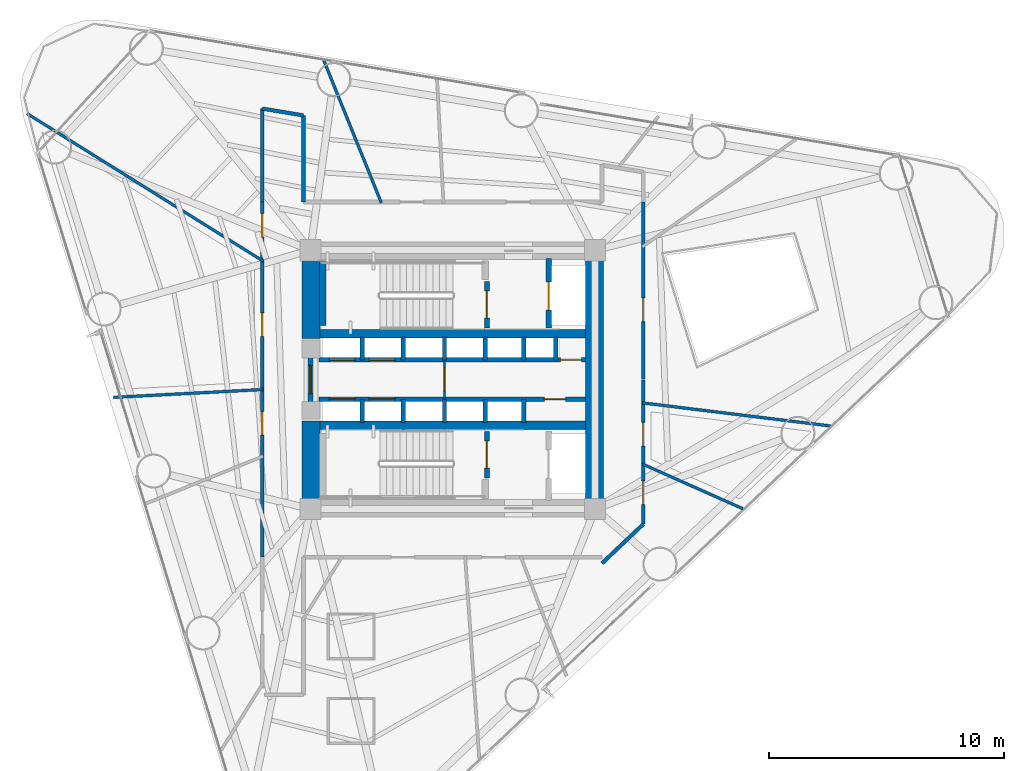
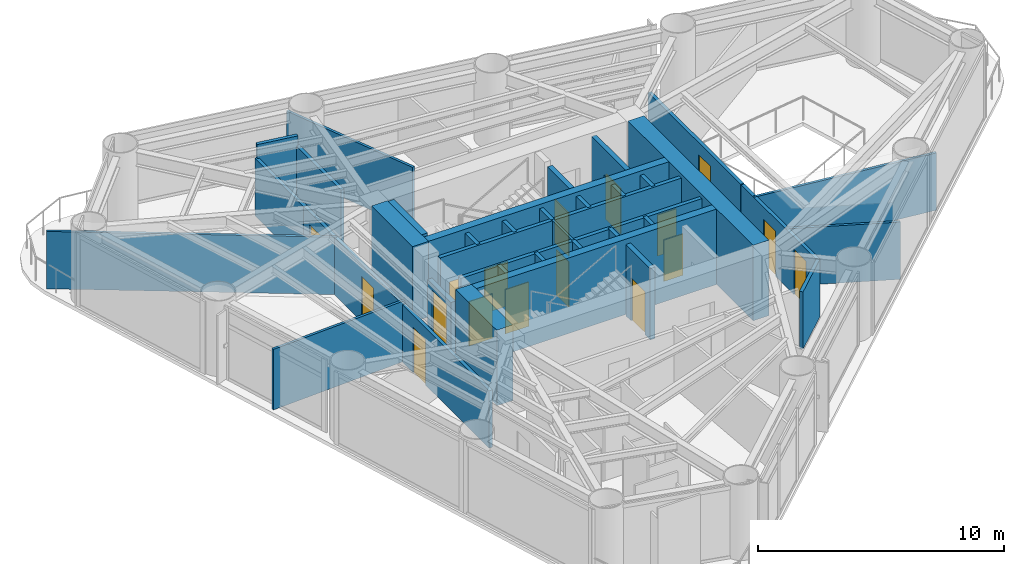
# One storey, part 6 of 10: 36 walls, 17 doors, 17 openings.
"""IFC4 building model written with IfcOpenShell, lengths in metres."""

from ifc_helpers import new_model, si_unit, direction, frame, frame_2d, origin, place, context, subcontext, project, spatial, rectangle, extrude, material, layer, layer_set, type_object, element, fill, save


model = new_model("IFC4")

# Units and contexts
model_context = context("Model", 3, precision=1e-05, world=origin(), true_north=direction((0.0, 1.0)))
body_context = subcontext(model_context, "Body", "Model", "MODEL_VIEW")
ifc_project = project(units=[si_unit("LENGTHUNIT", "METRE"), si_unit("AREAUNIT", "SQUARE_METRE"), si_unit("VOLUMEUNIT", "CUBIC_METRE"), si_unit("PLANEANGLEUNIT", "RADIAN"), si_unit("MASSUNIT", "GRAM", prefix="KILO")], contexts=[model_context])

# Site, building, storey
site_placement = place(None, origin())
site = spatial("IfcSite", under=ifc_project, at=site_placement, CompositionType="ELEMENT")
building_placement = place(site_placement, origin())
building = spatial("IfcBuilding", under=site, at=building_placement, Name="Yunling Apex Tower", CompositionType="ELEMENT")
storey_placement = place(building_placement, frame((0.0, 0.0, 101.14990234375)))
storey = spatial("IfcBuildingStorey", under=building, at=storey_placement, Name="L25", CompositionType="ELEMENT", Elevation=101.14990234375)

# Walls
ifc_material_1 = material(Name="Concrete C60", Category="concrete")
ifc_layer_1 = layer(ifc_material_1, 0.75)
ifc_layer_set_1 = layer_set([ifc_layer_1], Name="Concrete C60")
wall_type_1 = type_object("IfcWallType", Name="WL-COR-1", PredefinedType="SHEAR", material=ifc_layer_set_1)
wall_1_placement = place(storey_placement, frame((6.02490234375, -5.10009765625, 0.0), z_axis=(0.0, 0.0, 1.0), x_axis=(0.0, 1.0, 0.0)))
element("IfcWall", 1, at=wall_1_placement, inside=storey, type_object=wall_type_1, Name="L25 East Core Shear Wall", PredefinedType="SHEAR", context=body_context, shape_type="SweptSolid", body=[
    extrude(rectangle(XDim=10.2001953125, YDim=0.75, at=frame_2d((5.10009765625, 0.0))), origin(), (0.0, 0.0, 1.0), 3.75),
])
for number, where, z_axis, x_axis, name in (
    (2, (-6.02490234375, -5.10009765625, 0.0), (0.0, 0.0, 1.0), (0.0, 1.0, 0.0), "L25 West-South Core Shear Wall"),
    (3, (-6.02490234375, 1.75, 0.0), (0.0, 0.0, 1.0), (0.0, 1.0, 0.0), "L25 West-North Core Shear Wall"),
):
    element("IfcWall", number, at=place(storey_placement, frame(where, z_axis=z_axis, x_axis=x_axis)), inside=storey, type_object=wall_type_1, Name=name, PredefinedType="SHEAR", context=body_context, shape_type="SweptSolid", body=[
        extrude(rectangle(XDim=3.35009765625, YDim=0.75, at=frame_2d((1.675048828125, 0.0))), origin(), (0.0, 0.0, 1.0), 3.75),
    ])
ifc_material_2 = material(Name="Concrete C40", Category="concrete")
ifc_layer_2 = layer(ifc_material_2, 0.360107421875)
ifc_layer_set_2 = layer_set([ifc_layer_2], Name="Concrete C40")
wall_type_2 = type_object("IfcWallType", Name="WL-COR-4", PredefinedType="SHEAR", material=ifc_layer_set_2)
for number, where, z_axis, x_axis, name in (
    (4, (-5.64990234375, 1.93994140625, 0.0), (0.0, 0.0, 1.0), (1.0, 0.0, 0.0), "L25 North Internal Core Shear Wall"),
    (5, (-5.64990234375, -1.93994140625, 0.0), (0.0, 0.0, 1.0), (1.0, 0.0, 0.0), "L25 South Internal Core Shear Wall"),
):
    element("IfcWall", number, at=place(storey_placement, frame(where, z_axis=z_axis, x_axis=x_axis)), inside=storey, type_object=wall_type_2, Name=name, PredefinedType="SHEAR", context=body_context, shape_type="SweptSolid", body=[
        extrude(rectangle(XDim=11.2998046875, YDim=0.360107421875, at=frame_2d((5.64990234375, 0.0))), origin(), (0.0, 0.0, 1.0), 3.75),
    ])
ifc_layer_3 = layer(ifc_material_2, 0.280029296875)
ifc_layer_set_3 = layer_set([ifc_layer_3], Name="Concrete C40")
wall_type_3 = type_object("IfcWallType", Name="WL-COR-8", PredefinedType="SHEAR", material=ifc_layer_set_3)
wall_2_placement = place(storey_placement, frame((-5.52001953125, 2.300048828125, 0.0), z_axis=(0.0, 0.0, 1.0), x_axis=(0.0, 1.0, 0.0)))
element("IfcWall", 6, at=wall_2_placement, inside=storey, type_object=wall_type_3, Name="L25 ST-1 West Landing Bearing Wall", PredefinedType="SHEAR", context=body_context, shape_type="SweptSolid", body=[
    extrude(rectangle(XDim=2.75, YDim=0.280029296875, at=frame_2d((1.375, 0.0))), origin(), (0.0, 0.0, 1.0), 3.75),
])

# Wall, openings, doors
ifc_material_3 = material(Name="Gypsum board acoustic partition")
ifc_layer_4 = layer(ifc_material_3, 0.159912109375)
ifc_layer_set_4 = layer_set([ifc_layer_4], Name="Gypsum board acoustic partition")
wall_type_4 = type_object("IfcWallType", Name="WL-PRT-1", PredefinedType="PARTITIONING", material=ifc_layer_set_4)
wall_3_placement = place(storey_placement, frame((-8.10009765625, -7.550048828125, 0.0), z_axis=(0.0, 0.0, 1.0), x_axis=(0.0, 1.0, 0.0)))
wall_3 = element("IfcWall", 7, at=wall_3_placement, inside=storey, type_object=wall_type_4, Name="WL-CORR-L25-03", PredefinedType="PARTITIONING", context=body_context, shape_type="SweptSolid", body=[
    extrude(rectangle(XDim=15.10009765625, YDim=0.159912109375, at=frame_2d((7.550048828125, 0.0))), origin(), (0.0, 0.0, 1.0), 2.85009765625),
])
opening_1_placement = place(wall_3_placement, frame((5.185302734375, 0.0, 0.0)))
opening_1 = element("IfcOpeningElement", 8, at=opening_1_placement, cuts=wall_3, Name="Opening DR-OFF-1", PredefinedType="OPENING", context=body_context, shape_type="SweptSolid", body=[
    extrude(rectangle(XDim=1.0, YDim=2.25, at=frame_2d((0.5, 1.125))), frame((0.0, 0.08984375, 0.0), z_axis=(0.0, -1.0, 0.0), x_axis=(1.0, 0.0, 0.0)), (0.0, 0.0, 1.0), 0.179931640625),
])
opening_2_placement = place(wall_3_placement, frame((9.390380859375, 0.0, 0.0)))
opening_2 = element("IfcOpeningElement", 9, at=opening_2_placement, cuts=wall_3, Name="Opening DR-OFF-1", PredefinedType="OPENING", context=body_context, shape_type="SweptSolid", body=[
    extrude(rectangle(XDim=1.0, YDim=2.25, at=frame_2d((0.5, 1.125))), frame((0.0, 0.08984375, 0.0), z_axis=(0.0, -1.0, 0.0), x_axis=(1.0, 0.0, 0.0)), (0.0, 0.0, 1.0), 0.179931640625),
])
opening_3_placement = place(wall_3_placement, frame((13.607421875, 0.0, 0.0)))
opening_3 = element("IfcOpeningElement", 10, at=opening_3_placement, cuts=wall_3, Name="Opening DR-OFF-1", PredefinedType="OPENING", context=body_context, shape_type="SweptSolid", body=[
    extrude(rectangle(XDim=1.0, YDim=2.25, at=frame_2d((0.5, 1.125))), frame((0.0, 0.08984375, 0.0), z_axis=(0.0, -1.0, 0.0), x_axis=(1.0, 0.0, 0.0)), (0.0, 0.0, 1.0), 0.179931640625),
])
ifc_material_4 = material(Name="Bronze anodised aluminium", Category="aluminium")
door_type_1 = type_object("IfcDoorType", Name="DR-OFF-1", OperationType="NOTDEFINED", PredefinedType="DOOR", material=ifc_material_4)
door_1_placement = place(opening_1_placement, origin())
door_1 = element("IfcDoor", 11, at=door_1_placement, inside=storey, type_object=door_type_1, Name="L25 Business Reading Lounge Door", OperationType="SINGLE_SWING_RIGHT", OverallHeight=2.25, OverallWidth=1.0, PredefinedType="DOOR", context=body_context, shape_type="SweptSolid", body=[
    extrude(rectangle(XDim=1.0, YDim=2.25, at=frame_2d((0.5, 1.125))), frame((0.0, 0.02490234375, 0.0), z_axis=(0.0, -1.0, 0.0), x_axis=(1.0, 0.0, 0.0)), (0.0, 0.0, 1.0), 0.050048828125),
])
fill(opening_1, door_1)
door_2_placement = place(opening_2_placement, origin())
door_2 = element("IfcDoor", 12, at=door_2_placement, inside=storey, type_object=door_type_1, Name="L25 Document Archive Store Door", OperationType="SINGLE_SWING_LEFT", OverallHeight=2.25, OverallWidth=1.0, PredefinedType="DOOR", context=body_context, shape_type="SweptSolid", body=[
    extrude(rectangle(XDim=1.0, YDim=2.25, at=frame_2d((0.5, 1.125))), frame((0.0, 0.02490234375, 0.0), z_axis=(0.0, -1.0, 0.0), x_axis=(1.0, 0.0, 0.0)), (0.0, 0.0, 1.0), 0.050048828125),
])
fill(opening_2, door_2)
door_3_placement = place(opening_3_placement, origin())
door_3 = element("IfcDoor", 13, at=door_3_placement, inside=storey, type_object=door_type_1, Name="L25 Client Reception Foyer Door", OperationType="SINGLE_SWING_RIGHT", OverallHeight=2.25, OverallWidth=1.0, PredefinedType="DOOR", context=body_context, shape_type="SweptSolid", body=[
    extrude(rectangle(XDim=1.0, YDim=2.25, at=frame_2d((0.5, 1.125))), frame((0.0, 0.02490234375, 0.0), z_axis=(0.0, -1.0, 0.0), x_axis=(1.0, 0.0, 0.0)), (0.0, 0.0, 1.0), 0.050048828125),
])
fill(opening_3, door_3)

# Walls
wall_4_placement = place(storey_placement, frame((-8.10009765625, 7.550048828125, 0.0), z_axis=(0.0, 0.0, 1.0), x_axis=(0.0, 1.0, 0.0)))
element("IfcWall", 14, at=wall_4_placement, inside=storey, type_object=wall_type_4, Name="WL-CORR-L25-04", PredefinedType="PARTITIONING", context=body_context, shape_type="SweptSolid", body=[
    extrude(rectangle(XDim=3.970703125, YDim=0.159912109375, at=frame_2d((1.9853515625, 0.0))), origin(), (0.0, 0.0, 1.0), 2.85009765625),
])
wall_5_placement = place(storey_placement, frame((-8.10009765625, 11.520751953125, 0.0), z_axis=(0.0, 0.0, 1.0), x_axis=(0.986408796856, -0.164309724253, 0.0)))
element("IfcWall", 15, at=wall_5_placement, inside=storey, type_object=wall_type_4, Name="WL-CORR-L25-05", PredefinedType="PARTITIONING", context=body_context, shape_type="SweptSolid", body=[
    extrude(rectangle(XDim=1.774169921875, YDim=0.159912109375, at=frame_2d((0.88720703125, 0.0))), origin(), (0.0, 0.0, 1.0), 3.545166015625),
])
wall_6_placement = place(storey_placement, frame((-6.35009765625, 11.229248046875, 0.0), z_axis=(0.0, 0.0, 1.0), x_axis=(0.0, -1.0, 0.0)))
element("IfcWall", 16, at=wall_6_placement, inside=storey, type_object=wall_type_4, Name="WL-CORR-L25-06", PredefinedType="PARTITIONING", context=body_context, shape_type="SweptSolid", body=[
    extrude(rectangle(XDim=3.67919921875, YDim=0.159912109375, at=frame_2d((1.839599609375, 0.0))), origin(), (0.0, 0.0, 1.0), 3.050048828125),
])

# Wall, opening, door
wall_7_placement = place(storey_placement, frame((8.10009765625, 7.550048828125, 0.0), z_axis=(0.0, 0.0, 1.0), x_axis=(0.0, -1.0, 0.0)))
wall_7 = element("IfcWall", 17, at=wall_7_placement, inside=storey, type_object=wall_type_4, Name="WL-CORR-L25-11", PredefinedType="PARTITIONING", context=body_context, shape_type="SweptSolid", body=[
    extrude(rectangle(XDim=7.530029296875, YDim=0.159912109375, at=frame_2d((3.76513671875, 0.0))), origin(), (0.0, 0.0, 1.0), 2.85009765625),
])
opening_4_placement = place(wall_7_placement, frame((4.08203125, 0.0, 0.0)))
opening_4 = element("IfcOpeningElement", 18, at=opening_4_placement, cuts=wall_7, Name="Opening DR-OFF-1", PredefinedType="OPENING", context=body_context, shape_type="SweptSolid", body=[
    extrude(rectangle(XDim=1.0, YDim=2.25, at=frame_2d((0.5, 1.125))), frame((0.0, 0.08984375, 0.0), z_axis=(0.0, -1.0, 0.0), x_axis=(1.0, 0.0, 0.0)), (0.0, 0.0, 1.0), 0.179931640625),
])
door_4_placement = place(opening_4_placement, origin())
door_4 = element("IfcDoor", 19, at=door_4_placement, inside=storey, type_object=door_type_1, Name="L25 Executive Office Door", OperationType="SINGLE_SWING_LEFT", OverallHeight=2.25, OverallWidth=1.0, PredefinedType="DOOR", context=body_context, shape_type="SweptSolid", body=[
    extrude(rectangle(XDim=1.0, YDim=2.25, at=frame_2d((0.5, 1.125))), frame((0.0, 0.02490234375, 0.0), z_axis=(0.0, -1.0, 0.0), x_axis=(1.0, 0.0, 0.0)), (0.0, 0.0, 1.0), 0.050048828125),
])
fill(opening_4, door_4)

# Wall, openings, doors
wall_8_placement = place(storey_placement, frame((8.10009765625, -0.02001953125, 0.0), z_axis=(0.0, 0.0, 1.0), x_axis=(0.0, -1.0, 0.0)))
wall_8 = element("IfcWall", 20, at=wall_8_placement, inside=storey, type_object=wall_type_4, Name="WL-CORR-L25-12", PredefinedType="PARTITIONING", context=body_context, shape_type="SweptSolid", body=[
    extrude(rectangle(XDim=6.126220703125, YDim=0.159912109375, at=frame_2d((3.06298828125, 0.0))), origin(), (0.0, 0.0, 1.0), 2.85009765625),
])
opening_5_placement = place(wall_8_placement, frame((1.801025390625, 0.0, 0.0)))
opening_5 = element("IfcOpeningElement", 21, at=opening_5_placement, cuts=wall_8, Name="Opening DR-OFF-1", PredefinedType="OPENING", context=body_context, shape_type="SweptSolid", body=[
    extrude(rectangle(XDim=1.0, YDim=2.25, at=frame_2d((0.5, 1.125))), frame((0.0, 0.08984375, 0.0), z_axis=(0.0, -1.0, 0.0), x_axis=(1.0, 0.0, 0.0)), (0.0, 0.0, 1.0), 0.179931640625),
])
opening_6_placement = place(wall_8_placement, frame((4.28369140625, 0.0, 0.0)))
opening_6 = element("IfcOpeningElement", 22, at=opening_6_placement, cuts=wall_8, Name="Opening DR-OFF-1", PredefinedType="OPENING", context=body_context, shape_type="SweptSolid", body=[
    extrude(rectangle(XDim=1.0, YDim=2.25, at=frame_2d((0.5, 1.125))), frame((0.0, 0.08984375, 0.0), z_axis=(0.0, -1.0, 0.0), x_axis=(1.0, 0.0, 0.0)), (0.0, 0.0, 1.0), 0.179931640625),
])
door_5_placement = place(opening_5_placement, origin())
door_5 = element("IfcDoor", 23, at=door_5_placement, inside=storey, type_object=door_type_1, Name="L25 Document Archive Store Door", OperationType="SINGLE_SWING_RIGHT", OverallHeight=2.25, OverallWidth=1.0, PredefinedType="DOOR", context=body_context, shape_type="SweptSolid", body=[
    extrude(rectangle(XDim=1.0, YDim=2.25, at=frame_2d((0.5, 1.125))), frame((0.0, 0.02490234375, 0.0), z_axis=(0.0, -1.0, 0.0), x_axis=(1.0, 0.0, 0.0)), (0.0, 0.0, 1.0), 0.050048828125),
])
fill(opening_5, door_5)
door_6_placement = place(opening_6_placement, origin())
door_6 = element("IfcDoor", 24, at=door_6_placement, inside=storey, type_object=door_type_1, Name="L25 Client Reception Foyer Door", OperationType="SINGLE_SWING_LEFT", OverallHeight=2.25, OverallWidth=1.0, PredefinedType="DOOR", context=body_context, shape_type="SweptSolid", body=[
    extrude(rectangle(XDim=1.0, YDim=2.25, at=frame_2d((0.5, 1.125))), frame((0.0, 0.02490234375, 0.0), z_axis=(0.0, -1.0, 0.0), x_axis=(1.0, 0.0, 0.0)), (0.0, 0.0, 1.0), 0.050048828125),
])
fill(opening_6, door_6)

# Walls
wall_9_placement = place(storey_placement, frame((8.10009765625, -6.146240234375, 0.0), z_axis=(0.0, 0.0, 1.0), x_axis=(-0.725888815428, -0.687812058368, 0.0)))
element("IfcWall", 25, at=wall_9_placement, inside=storey, type_object=wall_type_4, Name="WL-CORR-L25-13", PredefinedType="PARTITIONING", context=body_context, shape_type="SweptSolid", body=[
    extrude(rectangle(XDim=2.410888671875, YDim=0.159912109375, at=frame_2d((1.20556640625, 0.0))), origin(), (0.0, 0.0, 1.0), 2.85009765625),
])
ifc_layer_5 = layer(ifc_material_3, 0.1201171875)
ifc_layer_set_5 = layer_set([ifc_layer_5], Name="Gypsum board acoustic partition")
wall_type_5 = type_object("IfcWallType", Name="WL-PRT-3", PredefinedType="PARTITIONING", material=ifc_layer_set_5)
wall_10_placement = place(storey_placement, frame((-8.06005859375, -0.42236328125, 0.0), z_axis=(0.0, 0.0, 1.0), x_axis=(-0.998629334036, -0.052339786045, 0.0)))
element("IfcWall", 26, at=wall_10_placement, inside=storey, type_object=wall_type_5, Name="WL-RAD-L25-01", PredefinedType="PARTITIONING", context=body_context, shape_type="SweptSolid", body=[
    extrude(rectangle(XDim=6.37646484375, YDim=0.1201171875, at=frame_2d((3.188232421875, 0.0))), origin(), (0.0, 0.0, 1.0), 3.010009765625),
])
wall_11_placement = place(storey_placement, frame((8.06005859375, -3.58837890625, 0.0), z_axis=(0.0, 0.0, 1.0), x_axis=(0.913536081089, -0.406757702506, 0.0)))
element("IfcWall", 27, at=wall_11_placement, inside=storey, type_object=wall_type_5, Name="WL-RAD-L25-07", PredefinedType="PARTITIONING", context=body_context, shape_type="SweptSolid", body=[
    extrude(rectangle(XDim=4.681640625, YDim=0.1201171875, at=frame_2d((2.3408203125, 0.0))), origin(), (0.0, 0.0, 1.0), 2.85009765625),
])
wall_12_placement = place(storey_placement, frame((8.06005859375, -0.989501953125, 0.0), z_axis=(0.0, 0.0, 1.0), x_axis=(0.99254191086, -0.121903876831, 0.0)))
element("IfcWall", 28, at=wall_12_placement, inside=storey, type_object=wall_type_5, Name="WL-RAD-L25-08", PredefinedType="PARTITIONING", context=body_context, shape_type="SweptSolid", body=[
    extrude(rectangle(XDim=8.052978515625, YDim=0.1201171875, at=frame_2d((4.0263671875, 0.0))), origin(), (0.0, 0.0, 1.0), 2.85009765625),
])
wall_13_placement = place(storey_placement, frame((-3.0341796875, 7.510009765625, 0.0), z_axis=(0.0, 0.0, 1.0), x_axis=(-0.37460229318, 0.927185591963, 0.0)))
element("IfcWall", 29, at=wall_13_placement, inside=storey, type_object=wall_type_5, Name="WL-RAD-L25-12", PredefinedType="PARTITIONING", context=body_context, shape_type="SweptSolid", body=[
    extrude(rectangle(XDim=6.5224609375, YDim=0.1201171875, at=frame_2d((3.26123046875, 0.0))), origin(), (0.0, 0.0, 1.0), 3.050048828125),
])
wall_14_placement = place(storey_placement, frame((-8.06005859375, 5.036376953125, 0.0), z_axis=(0.0, 0.0, 1.0), x_axis=(-0.848040015969, 0.529932195016, 0.0)))
element("IfcWall", 30, at=wall_14_placement, inside=storey, type_object=wall_type_5, Name="WL-RAD-L25-13", PredefinedType="PARTITIONING", context=body_context, shape_type="SweptSolid", body=[
    extrude(rectangle(XDim=11.8369140625, YDim=0.1201171875, at=frame_2d((5.91845703125, 0.0))), origin(), (0.0, 0.0, 1.0), 2.85009765625),
])

# Wall, opening, door
ifc_layer_6 = layer(ifc_material_3, 0.10009765625)
ifc_layer_set_6 = layer_set([ifc_layer_6], Name="Gypsum board acoustic partition")
wall_type_6 = type_object("IfcWallType", Name="WL-PRT-4", PredefinedType="PARTITIONING", material=ifc_layer_set_6)
wall_15_placement = place(storey_placement, frame((-0.35009765625, -0.840087890625, 0.0), z_axis=(0.0, 0.0, 1.0), x_axis=(0.0, 1.0, 0.0)))
wall_15 = element("IfcWall", 31, at=wall_15_placement, inside=storey, type_object=wall_type_6, Name="WL-LOB-MID-L25", PredefinedType="PARTITIONING", context=body_context, shape_type="SweptSolid", body=[
    extrude(rectangle(XDim=1.68017578125, YDim=0.10009765625, at=frame_2d((0.840087890625, 0.0))), origin(), (0.0, 0.0, 1.0), 3.545166015625),
])
opening_7_placement = place(wall_15_placement, frame((0.340087890625, 0.0, 0.0)))
opening_7 = element("IfcOpeningElement", 32, at=opening_7_placement, cuts=wall_15, Name="Opening DR-OFF-1", PredefinedType="OPENING", context=body_context, shape_type="SweptSolid", body=[
    extrude(rectangle(XDim=1.0, YDim=2.25, at=frame_2d((0.5, 1.125))), frame((0.0, 0.06005859375, 0.0), z_axis=(0.0, -1.0, 0.0), x_axis=(1.0, 0.0, 0.0)), (0.0, 0.0, 1.0), 0.1201171875),
])
door_7_placement = place(opening_7_placement, origin())
door_7 = element("IfcDoor", 33, at=door_7_placement, inside=storey, type_object=door_type_1, Name="L25 Core Lobby Link Door", OperationType="SINGLE_SWING_LEFT", OverallHeight=2.25, OverallWidth=1.0, PredefinedType="DOOR", context=body_context, shape_type="SweptSolid", body=[
    extrude(rectangle(XDim=1.0, YDim=2.25, at=frame_2d((0.5, 1.125))), frame((0.0, 0.02490234375, 0.0), z_axis=(0.0, -1.0, 0.0), x_axis=(1.0, 0.0, 0.0)), (0.0, 0.0, 1.0), 0.050048828125),
])
fill(opening_7, door_7)

ifc_material_5 = material(Name="Autoclaved aerated concrete masonry", Category="masonry")
ifc_layer_7 = layer(ifc_material_5, 0.219970703125)
ifc_layer_set_7 = layer_set([ifc_layer_7], Name="Autoclaved aerated concrete masonry")
wall_type_7 = type_object("IfcWallType", Name="WL-SHF-1", PredefinedType="PLUMBINGWALL", material=ifc_layer_set_7)
wall_16_placement = place(storey_placement, frame((-6.050048828125, -0.949951171875, 0.0), z_axis=(0.0, 0.0, 1.0), x_axis=(0.0, 1.0, 0.0)))
wall_16 = element("IfcWall", 34, at=wall_16_placement, inside=storey, type_object=wall_type_7, Name="WL-COR-WPORT-L25", PredefinedType="PLUMBINGWALL", context=body_context, shape_type="SweptSolid", body=[
    extrude(rectangle(XDim=1.89990234375, YDim=0.219970703125, at=frame_2d((0.949951171875, 0.0))), origin(), (0.0, 0.0, 1.0), 2.525146484375),
])
opening_8_placement = place(wall_16_placement, frame((0.35009765625, 0.0, 0.0)))
opening_8 = element("IfcOpeningElement", 35, at=opening_8_placement, cuts=wall_16, Name="Opening DR-FFL-1", PredefinedType="OPENING", context=body_context, shape_type="SweptSolid", body=[
    extrude(rectangle(XDim=1.199951171875, YDim=2.199951171875, at=frame_2d((0.60009765625, 1.10009765625))), frame((0.0, 0.1201171875, 0.0), z_axis=(0.0, -1.0, 0.0), x_axis=(1.0, 0.0, 0.0)), (0.0, 0.0, 1.0), 0.239990234375),
])
ifc_material_6 = material(Name="Steel Q355B", Category="steel")
door_type_2 = type_object("IfcDoorType", Name="DR-FFL-1", OperationType="NOTDEFINED", PredefinedType="DOOR", material=ifc_material_6)
door_8_placement = place(opening_8_placement, origin())
door_8 = element("IfcDoor", 36, at=door_8_placement, inside=storey, type_object=door_type_2, Name="L25 Passenger Lift Lobby Entrance Door", OperationType="SINGLE_SWING_LEFT", OverallHeight=2.199951171875, OverallWidth=1.199951171875, PredefinedType="DOOR", context=body_context, shape_type="SweptSolid", body=[
    extrude(rectangle(XDim=1.199951171875, YDim=2.199951171875, at=frame_2d((0.60009765625, 1.10009765625))), frame((0.0, 0.02490234375, 0.0), z_axis=(0.0, -1.0, 0.0), x_axis=(1.0, 0.0, 0.0)), (0.0, 0.0, 1.0), 0.050048828125),
])
fill(opening_8, door_8)

wall_17_placement = place(storey_placement, frame((1.449951171875, 2.199951171875, 0.0), z_axis=(0.0, 0.0, 1.0), x_axis=(0.0, 1.0, 0.0)))
wall_17 = element("IfcWall", 37, at=wall_17_placement, inside=storey, type_object=wall_type_7, Name="WL-ST1-E-L25", PredefinedType="PLUMBINGWALL", context=body_context, shape_type="SweptSolid", body=[
    extrude(rectangle(XDim=1.97998046875, YDim=0.219970703125, at=frame_2d((0.989990234375, 0.0))), origin(), (0.0, 0.0, 1.0), 3.545166015625),
])
opening_9_placement = place(wall_17_placement, frame((0.419921875, 0.0, 0.0)))
opening_9 = element("IfcOpeningElement", 38, at=opening_9_placement, cuts=wall_17, Name="Opening DR-ST-1", PredefinedType="OPENING", context=body_context, shape_type="SweptSolid", body=[
    extrude(rectangle(XDim=1.14990234375, YDim=2.14990234375, at=frame_2d((0.574951171875, 1.074951171875))), frame((0.0, 0.1201171875, 0.0), z_axis=(0.0, -1.0, 0.0), x_axis=(1.0, 0.0, 0.0)), (0.0, 0.0, 1.0), 0.239990234375),
])
door_type_3 = type_object("IfcDoorType", Name="DR-ST-1", OperationType="NOTDEFINED", PredefinedType="DOOR", material=ifc_material_6)
door_9_placement = place(opening_9_placement, origin())
door_9 = element("IfcDoor", 39, at=door_9_placement, inside=storey, type_object=door_type_3, Name="L25 Stair ST-1 Fire Door", OperationType="SINGLE_SWING_LEFT", OverallHeight=2.14990234375, OverallWidth=1.14990234375, PredefinedType="DOOR", context=body_context, shape_type="SweptSolid", body=[
    extrude(rectangle(XDim=1.14990234375, YDim=2.14990234375, at=frame_2d((0.574951171875, 1.074951171875))), frame((0.0, 0.02490234375, 0.0), z_axis=(0.0, -1.0, 0.0), x_axis=(1.0, 0.0, 0.0)), (0.0, 0.0, 1.0), 0.050048828125),
])
fill(opening_9, door_9)

wall_18_placement = place(storey_placement, frame((4.080078125, 2.199951171875, 0.0), z_axis=(0.0, 0.0, 1.0), x_axis=(0.0, 1.0, 0.0)))
wall_18 = element("IfcWall", 40, at=wall_18_placement, inside=storey, type_object=wall_type_7, Name="WL-FFL1-W-L25", PredefinedType="PLUMBINGWALL", context=body_context, shape_type="SweptSolid", body=[
    extrude(rectangle(XDim=2.949951171875, YDim=0.219970703125, at=frame_2d((1.47509765625, 0.0))), origin(), (0.0, 0.0, 1.0), 3.545166015625),
])
opening_10_placement = place(wall_18_placement, frame((0.75, 0.0, 0.0)))
opening_10 = element("IfcOpeningElement", 41, at=opening_10_placement, cuts=wall_18, Name="Opening LD-FFL-1", PredefinedType="OPENING", context=body_context, shape_type="SweptSolid", body=[
    extrude(rectangle(XDim=1.199951171875, YDim=2.25, at=frame_2d((0.60009765625, 1.125))), frame((0.0, 0.1201171875, 0.0), z_axis=(0.0, -1.0, 0.0), x_axis=(1.0, 0.0, 0.0)), (0.0, 0.0, 1.0), 0.239990234375),
])
door_type_4 = type_object("IfcDoorType", Name="LD-FFL-1", OperationType="DOUBLE_DOOR_SLIDING", PredefinedType="DOOR", material=ifc_material_6)
door_10_placement = place(opening_10_placement, origin())
door_10 = element("IfcDoor", 42, at=door_10_placement, inside=storey, type_object=door_type_4, Name="L25 Lift FFL-1 Landing Door", OperationType="DOUBLE_DOOR_SLIDING", OverallHeight=2.25, OverallWidth=1.199951171875, PredefinedType="DOOR", context=body_context, shape_type="SweptSolid", body=[
    extrude(rectangle(XDim=1.199951171875, YDim=2.25, at=frame_2d((0.60009765625, 1.125))), frame((0.0, 0.02490234375, 0.0), z_axis=(0.0, -1.0, 0.0), x_axis=(1.0, 0.0, 0.0)), (0.0, 0.0, 1.0), 0.050048828125),
])
fill(opening_10, door_10)

wall_19_placement = place(storey_placement, frame((1.449951171875, -4.179931640625, 0.0), z_axis=(0.0, 0.0, 1.0), x_axis=(0.0, 1.0, 0.0)))
wall_19 = element("IfcWall", 43, at=wall_19_placement, inside=storey, type_object=wall_type_7, Name="WL-ST2-E-L25", PredefinedType="PLUMBINGWALL", context=body_context, shape_type="SweptSolid", body=[
    extrude(rectangle(XDim=1.97998046875, YDim=0.219970703125, at=frame_2d((0.989990234375, 0.0))), origin(), (0.0, 0.0, 1.0), 3.545166015625),
])
opening_11_placement = place(wall_19_placement, frame((0.419921875, 0.0, 0.0)))
opening_11 = element("IfcOpeningElement", 44, at=opening_11_placement, cuts=wall_19, Name="Opening DR-ST-1", PredefinedType="OPENING", context=body_context, shape_type="SweptSolid", body=[
    extrude(rectangle(XDim=1.14990234375, YDim=2.14990234375, at=frame_2d((0.574951171875, 1.074951171875))), frame((0.0, 0.1201171875, 0.0), z_axis=(0.0, -1.0, 0.0), x_axis=(1.0, 0.0, 0.0)), (0.0, 0.0, 1.0), 0.239990234375),
])
door_11_placement = place(opening_11_placement, origin())
door_11 = element("IfcDoor", 45, at=door_11_placement, inside=storey, type_object=door_type_3, Name="L25 Stair ST-2 Fire Door", OperationType="SINGLE_SWING_RIGHT", OverallHeight=2.14990234375, OverallWidth=1.14990234375, PredefinedType="DOOR", context=body_context, shape_type="SweptSolid", body=[
    extrude(rectangle(XDim=1.14990234375, YDim=2.14990234375, at=frame_2d((0.574951171875, 1.074951171875))), frame((0.0, 0.02490234375, 0.0), z_axis=(0.0, -1.0, 0.0), x_axis=(1.0, 0.0, 0.0)), (0.0, 0.0, 1.0), 0.050048828125),
])
fill(opening_11, door_11)

# Walls
ifc_layer_8 = layer(ifc_material_5, 0.179931640625)
ifc_layer_set_8 = layer_set([ifc_layer_8], Name="Autoclaved aerated concrete masonry")
wall_type_8 = type_object("IfcWallType", Name="WL-SHF-2", PredefinedType="PLUMBINGWALL", material=ifc_layer_set_8)
for number, where, z_axis, x_axis, name in (
    (46, (-3.85009765625, 0.840087890625, 0.0), (0.0, 0.0, 1.0), (0.0, 1.0, 0.0), "WL-DIV-L12-L25"),
    (47, (-3.85009765625, -1.820068359375, 0.0), (0.0, 0.0, 1.0), (0.0, 1.0, 0.0), "WL-DIV-L34-L25"),
    (48, (-2.10009765625, 0.840087890625, 0.0), (0.0, 0.0, 1.0), (0.0, 1.0, 0.0), "WL-BNK-LM-N-L25"),
    (49, (-2.10009765625, -1.820068359375, 0.0), (0.0, 0.0, 1.0), (0.0, 1.0, 0.0), "WL-BNK-LM-S-L25"),
    (50, (-0.35009765625, 0.840087890625, 0.0), (0.0, 0.0, 1.0), (0.0, 1.0, 0.0), "WL-DIV-M12-L25"),
    (51, (-0.35009765625, -1.820068359375, 0.0), (0.0, 0.0, 1.0), (0.0, 1.0, 0.0), "WL-DIV-M34-L25"),
    (52, (1.3798828125, 0.840087890625, 0.0), (0.0, 0.0, 1.0), (0.0, 1.0, 0.0), "WL-BNK-MH-N-L25"),
    (53, (1.3798828125, -1.820068359375, 0.0), (0.0, 0.0, 1.0), (0.0, 1.0, 0.0), "WL-BNK-MH-S-L25"),
    (54, (3.02001953125, 0.840087890625, 0.0), (0.0, 0.0, 1.0), (0.0, 1.0, 0.0), "WL-DIV-H13-L25"),
    (55, (4.3798828125, 0.840087890625, 0.0), (0.0, 0.0, 1.0), (0.0, 1.0, 0.0), "WL-END-H3E-L25"),
    (56, (3.02001953125, -1.820068359375, 0.0), (0.0, 0.0, 1.0), (0.0, 1.0, 0.0), "WL-END-H2E-L25"),
):
    element("IfcWall", number, at=place(storey_placement, frame(where, z_axis=z_axis, x_axis=x_axis)), inside=storey, type_object=wall_type_8, Name=name, PredefinedType="PLUMBINGWALL", context=body_context, shape_type="SweptSolid", body=[
        extrude(rectangle(XDim=0.97998046875, YDim=0.179931640625, at=frame_2d((0.489990234375, 0.0))), origin(), (0.0, 0.0, 1.0), 3.545166015625),
    ])

# Wall, openings, doors
wall_20_placement = place(storey_placement, frame((-5.679931640625, 0.840087890625, 0.0), z_axis=(0.0, 0.0, 1.0), x_axis=(1.0, 0.0, 0.0)))
wall_20 = element("IfcWall", 57, at=wall_20_placement, inside=storey, type_object=wall_type_8, Name="WL-LOB-N-L25", PredefinedType="PLUMBINGWALL", context=body_context, shape_type="SweptSolid", body=[
    extrude(rectangle(XDim=11.329833984375, YDim=0.179931640625, at=frame_2d((5.6650390625, 0.0))), origin(), (0.0, 0.0, 1.0), 3.545166015625),
])
opening_12_placement = place(wall_20_placement, frame((0.429931640625, 0.0, 0.0)))
opening_12 = element("IfcOpeningElement", 58, at=opening_12_placement, cuts=wall_20, Name="Opening LD-PAS-1", PredefinedType="OPENING", context=body_context, shape_type="SweptSolid", body=[
    extrude(rectangle(XDim=1.10009765625, YDim=2.199951171875, at=frame_2d((0.550048828125, 1.10009765625))), frame((0.0, 0.10009765625, 0.0), z_axis=(0.0, -1.0, 0.0), x_axis=(1.0, 0.0, 0.0)), (0.0, 0.0, 1.0), 0.199951171875),
])
opening_13_placement = place(wall_20_placement, frame((2.1298828125, 0.0, 0.0)))
opening_13 = element("IfcOpeningElement", 59, at=opening_13_placement, cuts=wall_20, Name="Opening LD-PAS-1", PredefinedType="OPENING", context=body_context, shape_type="SweptSolid", body=[
    extrude(rectangle(XDim=1.10009765625, YDim=2.199951171875, at=frame_2d((0.550048828125, 1.10009765625))), frame((0.0, 0.10009765625, 0.0), z_axis=(0.0, -1.0, 0.0), x_axis=(1.0, 0.0, 0.0)), (0.0, 0.0, 1.0), 0.199951171875),
])
opening_14_placement = place(wall_20_placement, frame((10.25, 0.0, 0.0)))
opening_14 = element("IfcOpeningElement", 60, at=opening_14_placement, cuts=wall_20, Name="Opening DR-SHF-1", PredefinedType="OPENING", context=body_context, shape_type="SweptSolid", body=[
    extrude(rectangle(XDim=0.89990234375, YDim=2.050048828125, at=frame_2d((0.449951171875, 1.02490234375))), frame((0.0, 0.10009765625, 0.0), z_axis=(0.0, -1.0, 0.0), x_axis=(1.0, 0.0, 0.0)), (0.0, 0.0, 1.0), 0.199951171875),
])
door_type_5 = type_object("IfcDoorType", Name="DR-SHF-1", OperationType="NOTDEFINED", PredefinedType="DOOR", material=ifc_material_6)
door_12_placement = place(opening_14_placement, origin())
door_12 = element("IfcDoor", 61, at=door_12_placement, inside=storey, type_object=door_type_5, Name="L25 Core Janitor Closet Door", OperationType="SINGLE_SWING_RIGHT", OverallHeight=2.050048828125, OverallWidth=0.89990234375, PredefinedType="DOOR", context=body_context, shape_type="SweptSolid", body=[
    extrude(rectangle(XDim=0.89990234375, YDim=2.050048828125, at=frame_2d((0.449951171875, 1.02490234375))), frame((0.0, 0.02490234375, 0.0), z_axis=(0.0, -1.0, 0.0), x_axis=(1.0, 0.0, 0.0)), (0.0, 0.0, 1.0), 0.050048828125),
])
fill(opening_14, door_12)
ifc_material_7 = material(Name="Silver anodised aluminium", Category="aluminium")
door_type_6 = type_object("IfcDoorType", Name="LD-PAS-1", OperationType="DOUBLE_DOOR_SLIDING", PredefinedType="DOOR", material=ifc_material_7)
door_13_placement = place(opening_12_placement, origin())
door_13 = element("IfcDoor", 62, at=door_13_placement, inside=storey, type_object=door_type_6, Name="L25 Lift PL-L1 Landing Door", OperationType="DOUBLE_DOOR_SLIDING", OverallHeight=2.199951171875, OverallWidth=1.10009765625, PredefinedType="DOOR", context=body_context, shape_type="SweptSolid", body=[
    extrude(rectangle(XDim=1.10009765625, YDim=2.199951171875, at=frame_2d((0.550048828125, 1.10009765625))), frame((0.0, 0.02490234375, 0.0), z_axis=(0.0, -1.0, 0.0), x_axis=(1.0, 0.0, 0.0)), (0.0, 0.0, 1.0), 0.050048828125),
])
fill(opening_12, door_13)
door_14_placement = place(opening_13_placement, origin())
door_14 = element("IfcDoor", 63, at=door_14_placement, inside=storey, type_object=door_type_6, Name="L25 Lift PL-L2 Landing Door", OperationType="DOUBLE_DOOR_SLIDING", OverallHeight=2.199951171875, OverallWidth=1.10009765625, PredefinedType="DOOR", context=body_context, shape_type="SweptSolid", body=[
    extrude(rectangle(XDim=1.10009765625, YDim=2.199951171875, at=frame_2d((0.550048828125, 1.10009765625))), frame((0.0, 0.02490234375, 0.0), z_axis=(0.0, -1.0, 0.0), x_axis=(1.0, 0.0, 0.0)), (0.0, 0.0, 1.0), 0.050048828125),
])
fill(opening_13, door_14)

wall_21_placement = place(storey_placement, frame((-5.679931640625, -0.840087890625, 0.0), z_axis=(0.0, 0.0, 1.0), x_axis=(1.0, 0.0, 0.0)))
wall_21 = element("IfcWall", 64, at=wall_21_placement, inside=storey, type_object=wall_type_8, Name="WL-LOB-S-L25", PredefinedType="PLUMBINGWALL", context=body_context, shape_type="SweptSolid", body=[
    extrude(rectangle(XDim=11.329833984375, YDim=0.179931640625, at=frame_2d((5.6650390625, 0.0))), origin(), (0.0, 0.0, 1.0), 3.545166015625),
])
opening_15_placement = place(wall_21_placement, frame((0.429931640625, 0.0, 0.0)))
opening_15 = element("IfcOpeningElement", 65, at=opening_15_placement, cuts=wall_21, Name="Opening LD-PAS-1", PredefinedType="OPENING", context=body_context, shape_type="SweptSolid", body=[
    extrude(rectangle(XDim=1.10009765625, YDim=2.199951171875, at=frame_2d((0.550048828125, 1.10009765625))), frame((0.0, 0.10009765625, 0.0), z_axis=(0.0, -1.0, 0.0), x_axis=(1.0, 0.0, 0.0)), (0.0, 0.0, 1.0), 0.199951171875),
])
opening_16_placement = place(wall_21_placement, frame((2.1298828125, 0.0, 0.0)))
opening_16 = element("IfcOpeningElement", 66, at=opening_16_placement, cuts=wall_21, Name="Opening LD-PAS-1", PredefinedType="OPENING", context=body_context, shape_type="SweptSolid", body=[
    extrude(rectangle(XDim=1.10009765625, YDim=2.199951171875, at=frame_2d((0.550048828125, 1.10009765625))), frame((0.0, 0.10009765625, 0.0), z_axis=(0.0, -1.0, 0.0), x_axis=(1.0, 0.0, 0.0)), (0.0, 0.0, 1.0), 0.199951171875),
])
opening_17_placement = place(wall_21_placement, frame((9.580078125, 0.0, 0.0)))
opening_17 = element("IfcOpeningElement", 67, at=opening_17_placement, cuts=wall_21, Name="Opening DR-SHF-1", PredefinedType="OPENING", context=body_context, shape_type="SweptSolid", body=[
    extrude(rectangle(XDim=0.89990234375, YDim=2.050048828125, at=frame_2d((0.449951171875, 1.02490234375))), frame((0.0, 0.10009765625, 0.0), z_axis=(0.0, -1.0, 0.0), x_axis=(1.0, 0.0, 0.0)), (0.0, 0.0, 1.0), 0.199951171875),
])
door_15_placement = place(opening_17_placement, origin())
door_15 = element("IfcDoor", 68, at=door_15_placement, inside=storey, type_object=door_type_5, Name="L25 Core MEP Service Door", OperationType="SINGLE_SWING_LEFT", OverallHeight=2.050048828125, OverallWidth=0.89990234375, PredefinedType="DOOR", context=body_context, shape_type="SweptSolid", body=[
    extrude(rectangle(XDim=0.89990234375, YDim=2.050048828125, at=frame_2d((0.449951171875, 1.02490234375))), frame((0.0, 0.02490234375, 0.0), z_axis=(0.0, -1.0, 0.0), x_axis=(1.0, 0.0, 0.0)), (0.0, 0.0, 1.0), 0.050048828125),
])
fill(opening_17, door_15)
door_16_placement = place(opening_15_placement, origin())
door_16 = element("IfcDoor", 69, at=door_16_placement, inside=storey, type_object=door_type_6, Name="L25 Lift PL-L3 Landing Door", OperationType="DOUBLE_DOOR_SLIDING", OverallHeight=2.199951171875, OverallWidth=1.10009765625, PredefinedType="DOOR", context=body_context, shape_type="SweptSolid", body=[
    extrude(rectangle(XDim=1.10009765625, YDim=2.199951171875, at=frame_2d((0.550048828125, 1.10009765625))), frame((0.0, 0.02490234375, 0.0), z_axis=(0.0, -1.0, 0.0), x_axis=(1.0, 0.0, 0.0)), (0.0, 0.0, 1.0), 0.050048828125),
])
fill(opening_15, door_16)
door_17_placement = place(opening_16_placement, origin())
door_17 = element("IfcDoor", 70, at=door_17_placement, inside=storey, type_object=door_type_6, Name="L25 Lift PL-L4 Landing Door", OperationType="DOUBLE_DOOR_SLIDING", OverallHeight=2.199951171875, OverallWidth=1.10009765625, PredefinedType="DOOR", context=body_context, shape_type="SweptSolid", body=[
    extrude(rectangle(XDim=1.10009765625, YDim=2.199951171875, at=frame_2d((0.550048828125, 1.10009765625))), frame((0.0, 0.02490234375, 0.0), z_axis=(0.0, -1.0, 0.0), x_axis=(1.0, 0.0, 0.0)), (0.0, 0.0, 1.0), 0.050048828125),
])
fill(opening_16, door_17)

save(model, "model.ifc")
